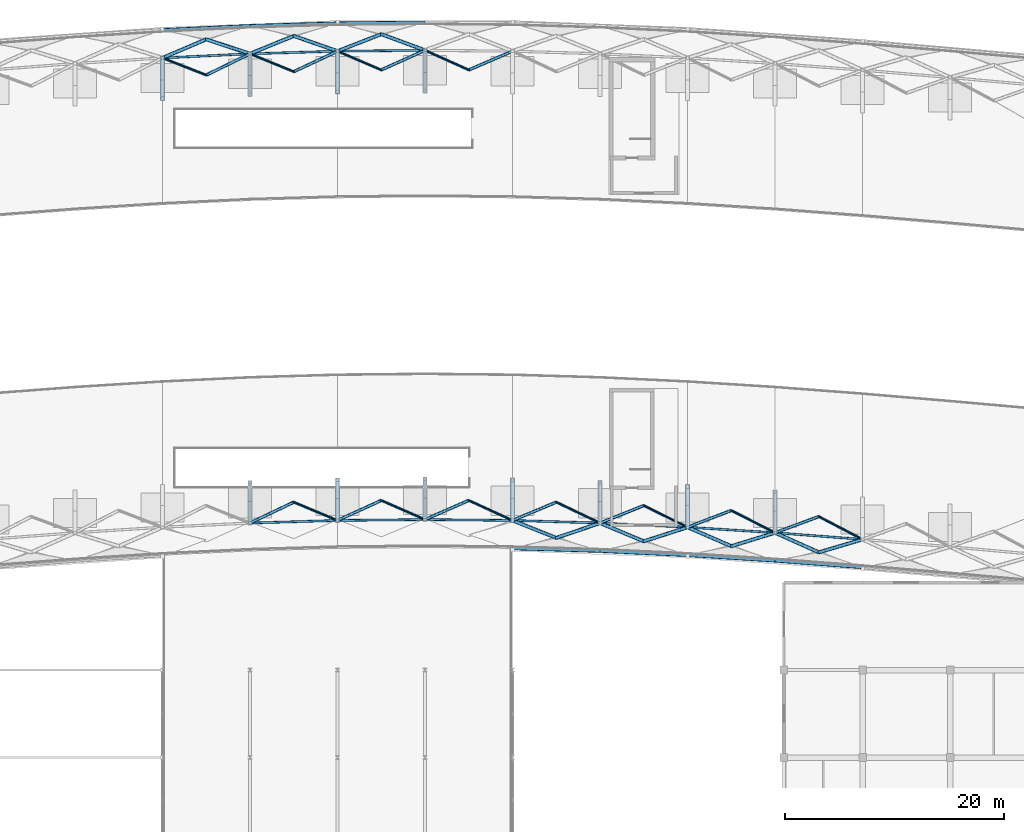
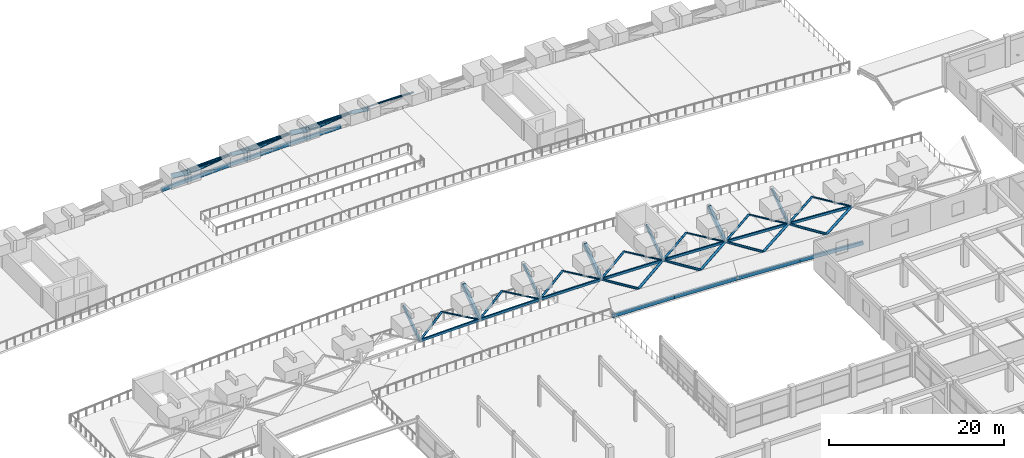
# One storey, part 18 of 67: 36 members, 28 beams.
"""IFC4 building model written with IfcOpenShell, lengths in metres."""

from ifc_helpers import new_model, si_unit, direction, frame, origin, origin_2d, place, context, subcontext, project, spatial, hollow_rectangle, hollow_circle, extrude, material, material_profile, profile_set, type_object, element, save


model = new_model("IFC4")

# Units and contexts
model_context = context("Model", 3, precision=1e-05, world=origin(), true_north=direction((0.0, 1.0)))
body_context = subcontext(model_context, "Body", "Model", "MODEL_VIEW")
ifc_project = project(units=[si_unit("LENGTHUNIT", "METRE"), si_unit("AREAUNIT", "SQUARE_METRE"), si_unit("VOLUMEUNIT", "CUBIC_METRE"), si_unit("PLANEANGLEUNIT", "RADIAN"), si_unit("MASSUNIT", "GRAM", prefix="KILO")], contexts=[model_context])

# Site, building, storey
site_placement = place(None, origin())
site = spatial("IfcSite", under=ifc_project, at=site_placement, CompositionType="ELEMENT")
building_placement = place(site_placement, origin())
building = spatial("IfcBuilding", under=site, at=building_placement, Name="Kenh Van Central Station", CompositionType="ELEMENT")
storey_placement = place(building_placement, frame((0.0, 0.0, 10.800048828125)))
storey = spatial("IfcBuildingStorey", under=building, at=storey_placement, Name="L02", CompositionType="ELEMENT", Elevation=10.800048828125)

# Beams
ifc_material = material(Name="White fluoropolymer structural steel S355", Category="steel")
ifc_material_profile_1 = material_profile(ifc_material, hollow_rectangle(XDim=0.35009765625, YDim=0.60009765625, WallThickness=0.01611328125, InnerFilletRadius=0.01611328125, OuterFilletRadius=0.031982421875, at=origin_2d()), Name="RHS 600x350x16")
ifc_profile_set_1 = profile_set([ifc_material_profile_1], Name="White fluoropolymer structural steel S355")
beam_type_1 = type_object("IfcBeamType", Name="BM-VAULT-ARCH600", PredefinedType="BEAM", material=ifc_profile_set_1)
for number, where, z_axis, x_axis, name in (
    (1, (64.0, 108.232421875, 6.428466796875), (0.0, 0.812520116944, -0.58293315188), (-1.0, 0.0, 0.0), "Vault transverse arch 059"),
    (2, (80.0, 69.672119140625, 3.76171875), (0.0, 0.812520116944, 0.58293315188), (-1.0, 0.0, 0.0), "Vault transverse arch 072"),
    (3, (80.0, 108.850341796875, 6.428466796875), (0.0, 0.812520116944, -0.58293315188), (-1.0, 0.0, 0.0), "Vault transverse arch 081"),
    (4, (96.0, 69.672119140625, 3.76171875), (0.0, 0.812520116944, 0.58293315188), (-1.0, 0.0, 0.0), "Vault transverse arch 095"),
    (5, (112.0, 69.05419921875, 3.76171875), (0.0, 0.812520116944, 0.58293315188), (-1.0, 0.0, 0.0), "Vault transverse arch 119"),
):
    element("IfcBeam", number, at=place(storey_placement, frame(where, z_axis=z_axis, x_axis=x_axis)), inside=storey, type_object=beam_type_1, Name=name, PredefinedType="BEAM", context=body_context, shape_type="SweptSolid", body=[
        extrude(hollow_rectangle(XDim=0.35009765625, YDim=0.60009765625, WallThickness=0.01611328125, InnerFilletRadius=0.01611328125, OuterFilletRadius=0.031982421875, at=origin_2d()), origin(), (0.0, 0.0, 1.0), 4.57470703125),
    ])
ifc_material_profile_2 = material_profile(ifc_material, hollow_rectangle(XDim=0.199951171875, YDim=0.35009765625, WallThickness=0.010009765625, InnerFilletRadius=0.010009765625, OuterFilletRadius=0.02001953125, at=origin_2d()), Name="RHS 350x200x10")
ifc_profile_set_2 = profile_set([ifc_material_profile_2], Name="White fluoropolymer structural steel S355")
beam_type_2 = type_object("IfcBeamType", Name="BM-VAULT-EAVE350", PredefinedType="BEAM", material=ifc_profile_set_2)
beam_1_placement = place(storey_placement, frame((72.0, 69.435546875, 3.76171875), z_axis=(0.999563048769, 0.029558611885, 0.0), x_axis=(-0.029558611885, 0.999563048769, 0.0)))
element("IfcBeam", 6, at=beam_1_placement, inside=storey, type_object=beam_type_2, Name="Vault portal header beam 30", PredefinedType="BEAM", context=body_context, shape_type="SweptSolid", body=[
    extrude(hollow_rectangle(XDim=0.199951171875, YDim=0.35009765625, WallThickness=0.010009765625, InnerFilletRadius=0.010009765625, OuterFilletRadius=0.02001953125, at=origin_2d()), origin(), (0.0, 0.0, 1.0), 8.00341796875),
])
for number, where, z_axis, x_axis, name in (
    (7, (80.0, 69.672119140625, 3.76171875), (0.999949600167, 0.010039777175, 0.0), (-0.010039777175, 0.999949600167, 0.0), "Vault portal header beam 31"),
    (8, (88.0, 69.75244140625, 3.76171875), (0.999949600167, -0.010039777175, 0.0), (0.010039777175, 0.999949600167, 0.0), "Vault portal header beam 32"),
):
    element("IfcBeam", number, at=place(storey_placement, frame(where, z_axis=z_axis, x_axis=x_axis)), inside=storey, type_object=beam_type_2, Name=name, PredefinedType="BEAM", context=body_context, shape_type="SweptSolid", body=[
        extrude(hollow_rectangle(XDim=0.199951171875, YDim=0.35009765625, WallThickness=0.010009765625, InnerFilletRadius=0.010009765625, OuterFilletRadius=0.02001953125, at=origin_2d()), origin(), (0.0, 0.0, 1.0), 8.00048828125),
    ])
beam_2_placement = place(storey_placement, frame((96.0, 69.672119140625, 3.76171875), z_axis=(0.999563048769, -0.029558611885, 0.0), x_axis=(0.029558611885, 0.999563048769, 0.0)))
element("IfcBeam", 9, at=beam_2_placement, inside=storey, type_object=beam_type_2, Name="Vault portal header beam 33", PredefinedType="BEAM", context=body_context, shape_type="SweptSolid", body=[
    extrude(hollow_rectangle(XDim=0.199951171875, YDim=0.35009765625, WallThickness=0.010009765625, InnerFilletRadius=0.010009765625, OuterFilletRadius=0.02001953125, at=origin_2d()), origin(), (0.0, 0.0, 1.0), 8.00341796875),
])
beam_3_placement = place(storey_placement, frame((104.0, 69.435546875, 3.76171875), z_axis=(0.998865791667, -0.04761439107, 0.0), x_axis=(0.04761439107, 0.998865791667, 0.0)))
element("IfcBeam", 10, at=beam_3_placement, inside=storey, type_object=beam_type_2, Name="Vault portal header beam 34", PredefinedType="BEAM", context=body_context, shape_type="SweptSolid", body=[
    extrude(hollow_rectangle(XDim=0.199951171875, YDim=0.35009765625, WallThickness=0.010009765625, InnerFilletRadius=0.010009765625, OuterFilletRadius=0.02001953125, at=origin_2d()), origin(), (0.0, 0.0, 1.0), 8.009033203125),
])
beam_4_placement = place(storey_placement, frame((112.0, 69.05419921875, 3.76171875), z_axis=(0.998001046855, -0.063197392951, 0.0), x_axis=(0.063197392951, 0.998001046855, 0.0)))
element("IfcBeam", 11, at=beam_4_placement, inside=storey, type_object=beam_type_2, Name="Vault portal header beam 35", PredefinedType="BEAM", context=body_context, shape_type="SweptSolid", body=[
    extrude(hollow_rectangle(XDim=0.199951171875, YDim=0.35009765625, WallThickness=0.010009765625, InnerFilletRadius=0.010009765625, OuterFilletRadius=0.02001953125, at=origin_2d()), origin(), (0.0, 0.0, 1.0), 8.01611328125),
])
beam_5_placement = place(storey_placement, frame((120.0, 68.547607421875, 3.76171875), z_axis=(0.997134485958, -0.075649302127, 0.0), x_axis=(0.075649302127, 0.997134485958, 0.0)))
element("IfcBeam", 12, at=beam_5_placement, inside=storey, type_object=beam_type_2, Name="Vault portal header beam 36", PredefinedType="BEAM", context=body_context, shape_type="SweptSolid", body=[
    extrude(hollow_rectangle(XDim=0.199951171875, YDim=0.35009765625, WallThickness=0.010009765625, InnerFilletRadius=0.010009765625, OuterFilletRadius=0.02001953125, at=origin_2d()), origin(), (0.0, 0.0, 1.0), 8.02294921875),
])
beam_6_placement = place(storey_placement, frame((64.0, 111.949462890625, 3.76171875), z_axis=(0.998865791667, 0.04761439107, 0.0), x_axis=(-0.04761439107, 0.998865791667, 0.0)))
element("IfcBeam", 13, at=beam_6_placement, inside=storey, type_object=beam_type_2, Name="Vault portal header beam 43", PredefinedType="BEAM", context=body_context, shape_type="SweptSolid", body=[
    extrude(hollow_rectangle(XDim=0.199951171875, YDim=0.35009765625, WallThickness=0.010009765625, InnerFilletRadius=0.010009765625, OuterFilletRadius=0.02001953125, at=origin_2d()), origin(), (0.0, 0.0, 1.0), 8.009033203125),
])
beam_7_placement = place(storey_placement, frame((72.0, 112.330810546875, 3.76171875), z_axis=(0.999563048769, 0.029558611885, 0.0), x_axis=(-0.029558611885, 0.999563048769, 0.0)))
element("IfcBeam", 14, at=beam_7_placement, inside=storey, type_object=beam_type_2, Name="Vault portal header beam 44", PredefinedType="BEAM", context=body_context, shape_type="SweptSolid", body=[
    extrude(hollow_rectangle(XDim=0.199951171875, YDim=0.35009765625, WallThickness=0.010009765625, InnerFilletRadius=0.010009765625, OuterFilletRadius=0.02001953125, at=origin_2d()), origin(), (0.0, 0.0, 1.0), 8.00341796875),
])
beam_8_placement = place(storey_placement, frame((80.0, 112.5673828125, 3.76171875), z_axis=(0.999949600167, 0.010039777175, 0.0), x_axis=(-0.010039777175, 0.999949600167, 0.0)))
element("IfcBeam", 15, at=beam_8_placement, inside=storey, type_object=beam_type_2, Name="Vault portal header beam 45", PredefinedType="BEAM", context=body_context, shape_type="SweptSolid", body=[
    extrude(hollow_rectangle(XDim=0.199951171875, YDim=0.35009765625, WallThickness=0.010009765625, InnerFilletRadius=0.010009765625, OuterFilletRadius=0.02001953125, at=origin_2d()), origin(), (0.0, 0.0, 1.0), 8.00048828125),
])
ifc_material_profile_3 = material_profile(ifc_material, hollow_rectangle(XDim=0.300048828125, YDim=0.5, WallThickness=0.01611328125, InnerFilletRadius=0.01611328125, OuterFilletRadius=0.031982421875, at=origin_2d()), Name="RHS 500x300x16")
ifc_profile_set_3 = profile_set([ifc_material_profile_3], Name="White fluoropolymer structural steel S355")
beam_type_3 = type_object("IfcBeamType", Name="BM-VAULT-RING500", PredefinedType="BEAM", material=ifc_profile_set_3)
beam_9_placement = place(storey_placement, frame((96.0, 67.119873046875, 0.260009765625), z_axis=(0.999562147036, -0.029589089436, 0.0), x_axis=(0.029589089436, 0.999562147036, 0.0)))
element("IfcBeam", 16, at=beam_9_placement, inside=storey, type_object=beam_type_3, Name="Vault springing girder 05", PredefinedType="BEAM", context=body_context, shape_type="SweptSolid", body=[
    extrude(hollow_rectangle(XDim=0.300048828125, YDim=0.5, WallThickness=0.01611328125, InnerFilletRadius=0.01611328125, OuterFilletRadius=0.031982421875, at=origin_2d()), origin(), (0.0, 0.0, 1.0), 8.00341796875),
])
beam_10_placement = place(storey_placement, frame((104.0, 66.883056640625, 0.260009765625), z_axis=(0.998867240988, -0.047583977148, 0.0), x_axis=(0.047583977148, 0.998867240988, 0.0)))
element("IfcBeam", 17, at=beam_10_placement, inside=storey, type_object=beam_type_3, Name="Vault springing girder 06", PredefinedType="BEAM", context=body_context, shape_type="SweptSolid", body=[
    extrude(hollow_rectangle(XDim=0.300048828125, YDim=0.5, WallThickness=0.01611328125, InnerFilletRadius=0.01611328125, OuterFilletRadius=0.031982421875, at=origin_2d()), origin(), (0.0, 0.0, 1.0), 8.009033203125),
])
beam_11_placement = place(storey_placement, frame((112.0, 66.501953125, 0.260009765625), z_axis=(0.997999125469, -0.063227727798, 0.0), x_axis=(0.063227727798, 0.997999125469, 0.0)))
element("IfcBeam", 18, at=beam_11_placement, inside=storey, type_object=beam_type_3, Name="Vault springing girder 07", PredefinedType="BEAM", context=body_context, shape_type="SweptSolid", body=[
    extrude(hollow_rectangle(XDim=0.300048828125, YDim=0.5, WallThickness=0.01611328125, InnerFilletRadius=0.01611328125, OuterFilletRadius=0.031982421875, at=origin_2d()), origin(), (0.0, 0.0, 1.0), 8.01611328125),
])
beam_12_placement = place(storey_placement, frame((120.0, 65.9951171875, 0.260009765625), z_axis=(0.997136780926, -0.075619046039, 0.0), x_axis=(0.075619046039, 0.997136780926, 0.0)))
element("IfcBeam", 19, at=beam_12_placement, inside=storey, type_object=beam_type_3, Name="Vault springing girder 08", PredefinedType="BEAM", context=body_context, shape_type="SweptSolid", body=[
    extrude(hollow_rectangle(XDim=0.300048828125, YDim=0.5, WallThickness=0.01611328125, InnerFilletRadius=0.01611328125, OuterFilletRadius=0.031982421875, at=origin_2d()), origin(), (0.0, 0.0, 1.0), 8.02294921875),
])
beam_13_placement = place(storey_placement, frame((64.0, 114.501953125, 0.260009765625), z_axis=(0.998867240988, 0.047583977148, 0.0), x_axis=(-0.047583977148, 0.998867240988, 0.0)))
element("IfcBeam", 20, at=beam_13_placement, inside=storey, type_object=beam_type_3, Name="Vault springing girder 15", PredefinedType="BEAM", context=body_context, shape_type="SweptSolid", body=[
    extrude(hollow_rectangle(XDim=0.300048828125, YDim=0.5, WallThickness=0.01611328125, InnerFilletRadius=0.01611328125, OuterFilletRadius=0.031982421875, at=origin_2d()), origin(), (0.0, 0.0, 1.0), 8.009033203125),
])
beam_14_placement = place(storey_placement, frame((72.0, 114.883056640625, 0.260009765625), z_axis=(0.999562147036, 0.029589089436, 0.0), x_axis=(-0.029589089436, 0.999562147036, 0.0)))
element("IfcBeam", 21, at=beam_14_placement, inside=storey, type_object=beam_type_3, Name="Vault springing girder 16", PredefinedType="BEAM", context=body_context, shape_type="SweptSolid", body=[
    extrude(hollow_rectangle(XDim=0.300048828125, YDim=0.5, WallThickness=0.01611328125, InnerFilletRadius=0.01611328125, OuterFilletRadius=0.031982421875, at=origin_2d()), origin(), (0.0, 0.0, 1.0), 8.00341796875),
])
beam_15_placement = place(storey_placement, frame((80.0, 115.119873046875, 0.260009765625), z_axis=(0.99994990606, 0.010009264196, 0.0), x_axis=(-0.010009264196, 0.99994990606, 0.0)))
element("IfcBeam", 22, at=beam_15_placement, inside=storey, type_object=beam_type_3, Name="Vault springing girder 17", PredefinedType="BEAM", context=body_context, shape_type="SweptSolid", body=[
    extrude(hollow_rectangle(XDim=0.300048828125, YDim=0.5, WallThickness=0.01611328125, InnerFilletRadius=0.01611328125, OuterFilletRadius=0.031982421875, at=origin_2d()), origin(), (0.0, 0.0, 1.0), 8.00048828125),
])
ifc_material_profile_4 = material_profile(ifc_material, hollow_rectangle(XDim=0.25, YDim=0.449951171875, WallThickness=0.012451171875, InnerFilletRadius=0.012451171875, OuterFilletRadius=0.02490234375, at=origin_2d()), Name="RHS 450x250x12.5")
ifc_profile_set_4 = profile_set([ifc_material_profile_4], Name="White fluoropolymer structural steel S355")
beam_type_4 = type_object("IfcBeamType", Name="BM-VAULT-SUB450", PredefinedType="BEAM", material=ifc_profile_set_4)
for number, where, z_axis, x_axis, name in (
    (23, (72.0, 69.435546875, 3.76171875), (0.0, 0.812520116944, 0.58293315188), (-1.0, 0.0, 0.0), "Vault transverse arch 061"),
    (24, (72.0, 108.61376953125, 6.428466796875), (0.0, 0.812520116944, -0.58293315188), (-1.0, 0.0, 0.0), "Vault transverse arch 070"),
    (25, (88.0, 69.75244140625, 3.76171875), (0.0, 0.812520116944, 0.58293315188), (-1.0, 0.0, 0.0), "Vault transverse arch 083"),
    (26, (88.0, 108.9306640625, 6.428466796875), (0.0, 0.812520116944, -0.58293315188), (-1.0, 0.0, 0.0), "Vault transverse arch 092"),
    (27, (104.0, 69.435546875, 3.76171875), (0.0, 0.812520116944, 0.58293315188), (-1.0, 0.0, 0.0), "Vault transverse arch 107"),
    (28, (120.0, 68.547607421875, 3.76171875), (0.0, 0.812520116944, 0.58293315188), (-1.0, 0.0, 0.0), "Vault transverse arch 131"),
):
    element("IfcBeam", number, at=place(storey_placement, frame(where, z_axis=z_axis, x_axis=x_axis)), inside=storey, type_object=beam_type_4, Name=name, PredefinedType="BEAM", context=body_context, shape_type="SweptSolid", body=[
        extrude(hollow_rectangle(XDim=0.25, YDim=0.449951171875, WallThickness=0.012451171875, InnerFilletRadius=0.012451171875, OuterFilletRadius=0.02490234375, at=origin_2d()), origin(), (0.0, 0.0, 1.0), 4.57470703125),
    ])

# Members
ifc_material_profile_5 = material_profile(ifc_material, hollow_circle(Radius=0.109619140625, WallThickness=0.008056640625, at=origin_2d()), Name="CHS 219.1x8")
ifc_profile_set_5 = profile_set([ifc_material_profile_5], Name="White fluoropolymer structural steel S355")
member_type_1 = type_object("IfcMemberType", Name="MEM-VAULT-BRC219", PredefinedType="BRACE", material=ifc_profile_set_5)
member_1_placement = place(storey_placement, frame((64.0, 111.949462890625, 3.76171875), z_axis=(0.882168888415, -0.344920281933, 0.320636946442), x_axis=(0.364146423324, 0.931341710856, 0.0)))
element("IfcMember", 29, at=member_1_placement, inside=storey, type_object=member_type_1, Name="Vault diamond grid member 0213", PredefinedType="BRACE", context=body_context, shape_type="SweptSolid", body=[
    extrude(hollow_circle(Radius=0.109619140625, WallThickness=0.008056640625, at=origin_2d()), origin(), (0.0, 0.0, 1.0), 4.5341796875),
])
member_2_placement = place(storey_placement, frame((72.0, 112.330810546875, 3.76171875), z_axis=(0.877366799489, -0.358518720861, 0.318891558286), x_axis=(0.378267616133, 0.925696284202, 0.0)))
element("IfcMember", 30, at=member_2_placement, inside=storey, type_object=member_type_1, Name="Vault diamond grid member 0257", PredefinedType="BRACE", context=body_context, shape_type="SweptSolid", body=[
    extrude(hollow_circle(Radius=0.109619140625, WallThickness=0.008056640625, at=origin_2d()), origin(), (0.0, 0.0, 1.0), 4.55908203125),
])
member_3_placement = place(storey_placement, frame((76.0, 71.344482421875, 5.215576171875), z_axis=(0.874737568109, -0.365719747409, -0.317935926397), x_axis=(0.385734670238, 0.922609757252, 0.0)))
element("IfcMember", 31, at=member_3_placement, inside=storey, type_object=member_type_1, Name="Vault diamond grid member 0260", PredefinedType="BRACE", context=body_context, shape_type="SweptSolid", body=[
    extrude(hollow_circle(Radius=0.109619140625, WallThickness=0.008056640625, at=origin_2d()), origin(), (0.0, 0.0, 1.0), 4.57275390625),
])
member_4_placement = place(storey_placement, frame((80.0, 112.5673828125, 3.76171875), z_axis=(0.871968599979, -0.373130606351, 0.316929505181), x_axis=(0.393411315071, 0.919362571119, 0.0)))
element("IfcMember", 32, at=member_4_placement, inside=storey, type_object=member_type_1, Name="Vault diamond grid member 0301", PredefinedType="BRACE", context=body_context, shape_type="SweptSolid", body=[
    extrude(hollow_circle(Radius=0.109619140625, WallThickness=0.008056640625, at=origin_2d()), origin(), (0.0, 0.0, 1.0), 4.58740234375),
])
member_5_placement = place(storey_placement, frame((84.0, 71.50390625, 5.215576171875), z_axis=(0.869127262497, -0.380561461252, -0.315896780284), x_axis=(0.40110038295, 0.916034105695, 0.0)))
element("IfcMember", 33, at=member_5_placement, inside=storey, type_object=member_type_1, Name="Vault diamond grid member 0304", PredefinedType="BRACE", context=body_context, shape_type="SweptSolid", body=[
    extrude(hollow_circle(Radius=0.109619140625, WallThickness=0.008056640625, at=origin_2d()), origin(), (0.0, 0.0, 1.0), 4.602294921875),
])
member_6_placement = place(storey_placement, frame((88.0, 112.647705078125, 3.76171875), z_axis=(0.866195870246, -0.388054058081, 0.314831323689), x_axis=(0.408844781129, 0.912603936515, 0.0)))
element("IfcMember", 34, at=member_6_placement, inside=storey, type_object=member_type_1, Name="Vault diamond grid member 0345", PredefinedType="BRACE", context=body_context, shape_type="SweptSolid", body=[
    extrude(hollow_circle(Radius=0.109619140625, WallThickness=0.008056640625, at=origin_2d()), origin(), (0.0, 0.0, 1.0), 4.617919921875),
])
member_7_placement = place(storey_placement, frame((92.0, 71.50390625, 5.215576171875), z_axis=(0.863281854574, -0.395337143241, -0.313772182861), x_axis=(0.416364246481, 0.909197896089, 0.0)))
element("IfcMember", 35, at=member_7_placement, inside=storey, type_object=member_type_1, Name="Vault diamond grid member 0348", PredefinedType="BRACE", context=body_context, shape_type="SweptSolid", body=[
    extrude(hollow_circle(Radius=0.109619140625, WallThickness=0.008056640625, at=origin_2d()), origin(), (0.0, 0.0, 1.0), 4.633544921875),
])
member_8_placement = place(storey_placement, frame((100.0, 71.344482421875, 5.215576171875), z_axis=(0.857537531331, -0.409245969084, -0.311684326116), x_axis=(0.430701035992, 0.902494663472, 0.0)))
element("IfcMember", 36, at=member_8_placement, inside=storey, type_object=member_type_1, Name="Vault diamond grid member 0396", PredefinedType="BRACE", context=body_context, shape_type="SweptSolid", body=[
    extrude(hollow_circle(Radius=0.109619140625, WallThickness=0.008056640625, at=origin_2d()), origin(), (0.0, 0.0, 1.0), 4.66455078125),
])
member_9_placement = place(storey_placement, frame((108.0, 71.03369140625, 5.215576171875), z_axis=(0.852181566384, -0.421721688247, -0.309737623768), x_axis=(0.443533761546, 0.896257665166, 0.0)))
element("IfcMember", 37, at=member_9_placement, inside=storey, type_object=member_type_1, Name="Vault diamond grid member 0444", PredefinedType="BRACE", context=body_context, shape_type="SweptSolid", body=[
    extrude(hollow_circle(Radius=0.109619140625, WallThickness=0.008056640625, at=origin_2d()), origin(), (0.0, 0.0, 1.0), 4.69384765625),
])
member_10_placement = place(storey_placement, frame((116.0, 70.5869140625, 5.215576171875), z_axis=(0.847570379892, -0.432113976028, -0.308061621842), x_axis=(0.45420352623, 0.890897949689, 0.0)))
element("IfcMember", 38, at=member_10_placement, inside=storey, type_object=member_type_1, Name="Vault diamond grid member 0492", PredefinedType="BRACE", context=body_context, shape_type="SweptSolid", body=[
    extrude(hollow_circle(Radius=0.109619140625, WallThickness=0.008056640625, at=origin_2d()), origin(), (0.0, 0.0, 1.0), 4.719482421875),
])
member_11_placement = place(storey_placement, frame((124.0, 70.026611328125, 5.215576171875), z_axis=(0.843933756835, -0.440098267724, -0.306739838986), x_axis=(0.462388443715, 0.886677465101, 0.0)))
element("IfcMember", 39, at=member_11_placement, inside=storey, type_object=member_type_1, Name="Vault diamond grid member 0540", PredefinedType="BRACE", context=body_context, shape_type="SweptSolid", body=[
    extrude(hollow_circle(Radius=0.109619140625, WallThickness=0.008056640625, at=origin_2d()), origin(), (0.0, 0.0, 1.0), 4.73974609375),
])
ifc_material_profile_6 = material_profile(ifc_material, hollow_circle(Radius=0.136474609375, WallThickness=0.010009765625, at=origin_2d()), Name="CHS 273x10")
ifc_profile_set_6 = profile_set([ifc_material_profile_6], Name="White fluoropolymer structural steel S355")
member_type_2 = type_object("IfcMemberType", Name="MEM-VAULT-CHD273", PredefinedType="CHORD", material=ifc_profile_set_6)
member_12_placement = place(storey_placement, frame((68.0, 110.385498046875, 5.215576171875), z_axis=(0.854787848149, 0.415707371463, -0.31068491429), x_axis=(-0.437350556667, 0.899291104472, 0.0)))
element("IfcMember", 40, at=member_12_placement, inside=storey, type_object=member_type_2, Name="Vault diamond grid member 0233", PredefinedType="CHORD", context=body_context, shape_type="SweptSolid", body=[
    extrude(hollow_circle(Radius=0.136474609375, WallThickness=0.010009765625, at=origin_2d()), origin(), (0.0, 0.0, 1.0), 4.679443359375),
])
member_13_placement = place(storey_placement, frame((72.0, 69.435546875, 3.76171875), z_axis=(0.857537531331, 0.409245969084, 0.311684326116), x_axis=(-0.430701035992, 0.902494663472, 0.0)))
element("IfcMember", 41, at=member_13_placement, inside=storey, type_object=member_type_2, Name="Vault diamond grid member 0237", PredefinedType="CHORD", context=body_context, shape_type="SweptSolid", body=[
    extrude(hollow_circle(Radius=0.136474609375, WallThickness=0.010009765625, at=origin_2d()), origin(), (0.0, 0.0, 1.0), 4.66455078125),
])
member_14_placement = place(storey_placement, frame((76.0, 110.6962890625, 5.215576171875), z_axis=(0.860370385591, 0.402458412791, -0.312713967663), x_axis=(-0.423708521043, 0.905798591959, 0.0)))
element("IfcMember", 42, at=member_14_placement, inside=storey, type_object=member_type_2, Name="Vault diamond grid member 0277", PredefinedType="CHORD", context=body_context, shape_type="SweptSolid", body=[
    extrude(hollow_circle(Radius=0.136474609375, WallThickness=0.010009765625, at=origin_2d()), origin(), (0.0, 0.0, 1.0), 4.649169921875),
])
member_15_placement = place(storey_placement, frame((80.0, 69.672119140625, 3.76171875), z_axis=(0.863281854574, 0.395337143241, 0.313772182861), x_axis=(-0.416364246481, 0.909197896089, 0.0)))
element("IfcMember", 43, at=member_15_placement, inside=storey, type_object=member_type_2, Name="Vault diamond grid member 0281", PredefinedType="CHORD", context=body_context, shape_type="SweptSolid", body=[
    extrude(hollow_circle(Radius=0.136474609375, WallThickness=0.010009765625, at=origin_2d()), origin(), (0.0, 0.0, 1.0), 4.633544921875),
])
member_16_placement = place(storey_placement, frame((84.0, 110.855712890625, 5.215576171875), z_axis=(0.866195870246, 0.388054058081, -0.314831323689), x_axis=(-0.408844781129, 0.912603936515, 0.0)))
element("IfcMember", 44, at=member_16_placement, inside=storey, type_object=member_type_2, Name="Vault diamond grid member 0321", PredefinedType="CHORD", context=body_context, shape_type="SweptSolid", body=[
    extrude(hollow_circle(Radius=0.136474609375, WallThickness=0.010009765625, at=origin_2d()), origin(), (0.0, 0.0, 1.0), 4.617919921875),
])
member_17_placement = place(storey_placement, frame((88.0, 69.75244140625, 3.76171875), z_axis=(0.869127262497, 0.380561461252, 0.315896780284), x_axis=(-0.40110038295, 0.916034105695, 0.0)))
element("IfcMember", 45, at=member_17_placement, inside=storey, type_object=member_type_2, Name="Vault diamond grid member 0325", PredefinedType="CHORD", context=body_context, shape_type="SweptSolid", body=[
    extrude(hollow_circle(Radius=0.136474609375, WallThickness=0.010009765625, at=origin_2d()), origin(), (0.0, 0.0, 1.0), 4.602294921875),
])
member_18_placement = place(storey_placement, frame((92.0, 110.855712890625, 5.215576171875), z_axis=(0.871968599979, 0.373130606351, -0.316929505181), x_axis=(-0.393411315071, 0.919362571119, 0.0)))
element("IfcMember", 46, at=member_18_placement, inside=storey, type_object=member_type_2, Name="Vault diamond grid member 0365", PredefinedType="CHORD", context=body_context, shape_type="SweptSolid", body=[
    extrude(hollow_circle(Radius=0.136474609375, WallThickness=0.010009765625, at=origin_2d()), origin(), (0.0, 0.0, 1.0), 4.58740234375),
])
member_19_placement = place(storey_placement, frame((96.0, 69.672119140625, 3.76171875), z_axis=(0.874737568109, 0.365719747409, 0.317935926397), x_axis=(-0.385734670238, 0.922609757252, 0.0)))
element("IfcMember", 47, at=member_19_placement, inside=storey, type_object=member_type_2, Name="Vault diamond grid member 0370", PredefinedType="CHORD", context=body_context, shape_type="SweptSolid", body=[
    extrude(hollow_circle(Radius=0.136474609375, WallThickness=0.010009765625, at=origin_2d()), origin(), (0.0, 0.0, 1.0), 4.57275390625),
])
member_20_placement = place(storey_placement, frame((104.0, 69.435546875, 3.76171875), z_axis=(0.879859260372, 0.351535566308, 0.319797478974), x_axis=(-0.37101930291, 0.928625154122, 0.0)))
element("IfcMember", 48, at=member_20_placement, inside=storey, type_object=member_type_2, Name="Vault diamond grid member 0418", PredefinedType="CHORD", context=body_context, shape_type="SweptSolid", body=[
    extrude(hollow_circle(Radius=0.136474609375, WallThickness=0.010009765625, at=origin_2d()), origin(), (0.0, 0.0, 1.0), 4.546142578125),
])
member_21_placement = place(storey_placement, frame((112.0, 69.05419921875, 3.76171875), z_axis=(0.884252361889, 0.338826680172, 0.321394214786), x_axis=(-0.357810121269, 0.933794365542, 0.0)))
element("IfcMember", 49, at=member_21_placement, inside=storey, type_object=member_type_2, Name="Vault diamond grid member 0466", PredefinedType="CHORD", context=body_context, shape_type="SweptSolid", body=[
    extrude(hollow_circle(Radius=0.136474609375, WallThickness=0.010009765625, at=origin_2d()), origin(), (0.0, 0.0, 1.0), 4.523681640625),
])
member_22_placement = place(storey_placement, frame((120.0, 68.547607421875, 3.76171875), z_axis=(0.887768290906, 0.328253192524, 0.32267212966), x_axis=(-0.346803430152, 0.937937834206, 0.0)))
element("IfcMember", 50, at=member_22_placement, inside=storey, type_object=member_type_2, Name="Vault diamond grid member 0514", PredefinedType="CHORD", context=body_context, shape_type="SweptSolid", body=[
    extrude(hollow_circle(Radius=0.136474609375, WallThickness=0.010009765625, at=origin_2d()), origin(), (0.0, 0.0, 1.0), 4.505615234375),
])
ifc_material_profile_7 = material_profile(ifc_material, hollow_circle(Radius=0.161865234375, WallThickness=0.010009765625, at=origin_2d()), Name="CHS 323.9x10")
ifc_profile_set_7 = profile_set([ifc_material_profile_7], Name="White fluoropolymer structural steel S355")
member_type_3 = type_object("IfcMemberType", Name="MEM-VAULT-CHD324", PredefinedType="CHORD", material=ifc_profile_set_7)
member_23_placement = place(storey_placement, frame((64.0, 111.949462890625, 3.76171875), z_axis=(0.854563324393, 0.3641699909, -0.370272524406), x_axis=(-0.3920345646, 0.919950487884, 0.0)))
element("IfcMember", 51, at=member_23_placement, inside=storey, type_object=member_type_3, Name="Vault diamond grid member 0212", PredefinedType="CHORD", context=body_context, shape_type="SweptSolid", body=[
    extrude(hollow_circle(Radius=0.161865234375, WallThickness=0.010009765625, at=origin_2d()), origin(), (0.0, 0.0, 1.0), 4.6806640625),
])
member_24_placement = place(storey_placement, frame((68.0, 113.654052734375, 2.028564453125), z_axis=(0.878012665716, -0.290455850109, 0.380432856074), x_axis=(0.314071330946, 0.949399388602, 0.0)))
element("IfcMember", 52, at=member_24_placement, inside=storey, type_object=member_type_3, Name="Vault diamond grid member 0236", PredefinedType="CHORD", context=body_context, shape_type="SweptSolid", body=[
    extrude(hollow_circle(Radius=0.161865234375, WallThickness=0.010009765625, at=origin_2d()), origin(), (0.0, 0.0, 1.0), 4.5556640625),
])
member_25_placement = place(storey_placement, frame((72.0, 112.330810546875, 3.76171875), z_axis=(0.859194672831, 0.350988155839, -0.372279234767), x_axis=(-0.378170778657, 0.925735849025, 0.0)))
element("IfcMember", 53, at=member_25_placement, inside=storey, type_object=member_type_3, Name="Vault diamond grid member 0256", PredefinedType="CHORD", context=body_context, shape_type="SweptSolid", body=[
    extrude(hollow_circle(Radius=0.161865234375, WallThickness=0.010009765625, at=origin_2d()), origin(), (0.0, 0.0, 1.0), 4.655517578125),
])
member_26_placement = place(storey_placement, frame((76.0, 113.96484375, 2.028564453125), z_axis=(0.873772408501, -0.305265702286, 0.378595601071), x_axis=(0.329816521243, 0.944045053117, 0.0)))
element("IfcMember", 54, at=member_26_placement, inside=storey, type_object=member_type_3, Name="Vault diamond grid member 0280", PredefinedType="CHORD", context=body_context, shape_type="SweptSolid", body=[
    extrude(hollow_circle(Radius=0.161865234375, WallThickness=0.010009765625, at=origin_2d()), origin(), (0.0, 0.0, 1.0), 4.577880859375),
])
member_27_placement = place(storey_placement, frame((80.0, 112.5673828125, 3.76171875), z_axis=(0.86411604824, 0.336332277809, -0.374411610501), x_axis=(-0.362715237916, 0.931900024779, 0.0)))
element("IfcMember", 55, at=member_27_placement, inside=storey, type_object=member_type_3, Name="Vault diamond grid member 0300", PredefinedType="CHORD", context=body_context, shape_type="SweptSolid", body=[
    extrude(hollow_circle(Radius=0.161865234375, WallThickness=0.010009765625, at=origin_2d()), origin(), (0.0, 0.0, 1.0), 4.62890625),
])
member_28_placement = place(storey_placement, frame((84.0, 114.124267578125, 2.028564453125), z_axis=(0.86907125558, -0.320809506454, 0.376558645225), x_axis=(0.346299661069, 0.938123949563, 0.0)))
element("IfcMember", 56, at=member_28_placement, inside=storey, type_object=member_type_3, Name="Vault diamond grid member 0324", PredefinedType="CHORD", context=body_context, shape_type="SweptSolid", body=[
    extrude(hollow_circle(Radius=0.161865234375, WallThickness=0.010009765625, at=origin_2d()), origin(), (0.0, 0.0, 1.0), 4.6025390625),
])
member_29_placement = place(storey_placement, frame((96.0, 69.672119140625, 3.76171875), z_axis=(0.861627834708, -0.343830736287, -0.373333496008), x_axis=(0.370628191088, 0.928781321932, 0.0)))
element("IfcMember", 57, at=member_29_placement, inside=storey, type_object=member_type_3, Name="Vault diamond grid member 0371", PredefinedType="CHORD", context=body_context, shape_type="SweptSolid", body=[
    extrude(hollow_circle(Radius=0.161865234375, WallThickness=0.010009765625, at=origin_2d()), origin(), (0.0, 0.0, 1.0), 4.642333984375),
])
member_30_placement = place(storey_placement, frame((100.0, 68.075927734375, 2.028564453125), z_axis=(0.875955598045, 0.29774149936, 0.379541552156), x_axis=(-0.321821924039, 0.9468002161, 0.0)))
element("IfcMember", 58, at=member_30_placement, inside=storey, type_object=member_type_3, Name="Vault diamond grid member 0393", PredefinedType="CHORD", context=body_context, shape_type="SweptSolid", body=[
    extrude(hollow_circle(Radius=0.161865234375, WallThickness=0.010009765625, at=origin_2d()), origin(), (0.0, 0.0, 1.0), 4.56640625),
])
member_31_placement = place(storey_placement, frame((104.0, 69.435546875, 3.76171875), z_axis=(0.856821947449, -0.357811020779, -0.37125115997), x_axis=(0.385351106667, 0.922770028008, 0.0)))
element("IfcMember", 59, at=member_31_placement, inside=storey, type_object=member_type_3, Name="Vault diamond grid member 0419", PredefinedType="CHORD", context=body_context, shape_type="SweptSolid", body=[
    extrude(hollow_circle(Radius=0.161865234375, WallThickness=0.010009765625, at=origin_2d()), origin(), (0.0, 0.0, 1.0), 4.66845703125),
])
member_32_placement = place(storey_placement, frame((108.0, 67.76513671875, 2.028564453125), z_axis=(0.879907399999, 0.283563908203, 0.38125382279), x_axis=(-0.306731192096, 0.951796183957, 0.0)))
element("IfcMember", 60, at=member_32_placement, inside=storey, type_object=member_type_3, Name="Vault diamond grid member 0441", PredefinedType="CHORD", context=body_context, shape_type="SweptSolid", body=[
    extrude(hollow_circle(Radius=0.161865234375, WallThickness=0.010009765625, at=origin_2d()), origin(), (0.0, 0.0, 1.0), 4.5458984375),
])
member_33_placement = place(storey_placement, frame((112.0, 69.05419921875, 3.76171875), z_axis=(0.85247426544, -0.369939698931, -0.369367359031), x_axis=(0.398091340018, 0.917345782681, 0.0)))
element("IfcMember", 61, at=member_33_placement, inside=storey, type_object=member_type_3, Name="Vault diamond grid member 0467", PredefinedType="CHORD", context=body_context, shape_type="SweptSolid", body=[
    extrude(hollow_circle(Radius=0.161865234375, WallThickness=0.010009765625, at=origin_2d()), origin(), (0.0, 0.0, 1.0), 4.692138671875),
])
member_34_placement = place(storey_placement, frame((116.0, 67.318359375, 2.028564453125), z_axis=(0.883131871246, 0.271397031965, 0.382650949339), x_axis=(-0.293753752715, 0.955881128993, 0.0)))
element("IfcMember", 62, at=member_34_placement, inside=storey, type_object=member_type_3, Name="Vault diamond grid member 0489", PredefinedType="CHORD", context=body_context, shape_type="SweptSolid", body=[
    extrude(hollow_circle(Radius=0.161865234375, WallThickness=0.010009765625, at=origin_2d()), origin(), (0.0, 0.0, 1.0), 4.529296875),
])
member_35_placement = place(storey_placement, frame((120.0, 68.547607421875, 3.76171875), z_axis=(0.848831983809, -0.379756984944, -0.367789200016), x_axis=(0.408380719788, 0.912811693453, 0.0)))
element("IfcMember", 63, at=member_35_placement, inside=storey, type_object=member_type_3, Name="Vault diamond grid member 0515", PredefinedType="CHORD", context=body_context, shape_type="SweptSolid", body=[
    extrude(hollow_circle(Radius=0.161865234375, WallThickness=0.010009765625, at=origin_2d()), origin(), (0.0, 0.0, 1.0), 4.71240234375),
])
member_36_placement = place(storey_placement, frame((124.0, 66.758056640625, 2.028564453125), z_axis=(0.885562638257, 0.261820399153, 0.383704172912), x_axis=(-0.283522312005, 0.958965639945, 0.0)))
element("IfcMember", 64, at=member_36_placement, inside=storey, type_object=member_type_3, Name="Vault diamond grid member 0537", PredefinedType="CHORD", context=body_context, shape_type="SweptSolid", body=[
    extrude(hollow_circle(Radius=0.161865234375, WallThickness=0.010009765625, at=origin_2d()), origin(), (0.0, 0.0, 1.0), 4.516845703125),
])

save(model, "model.ifc")
